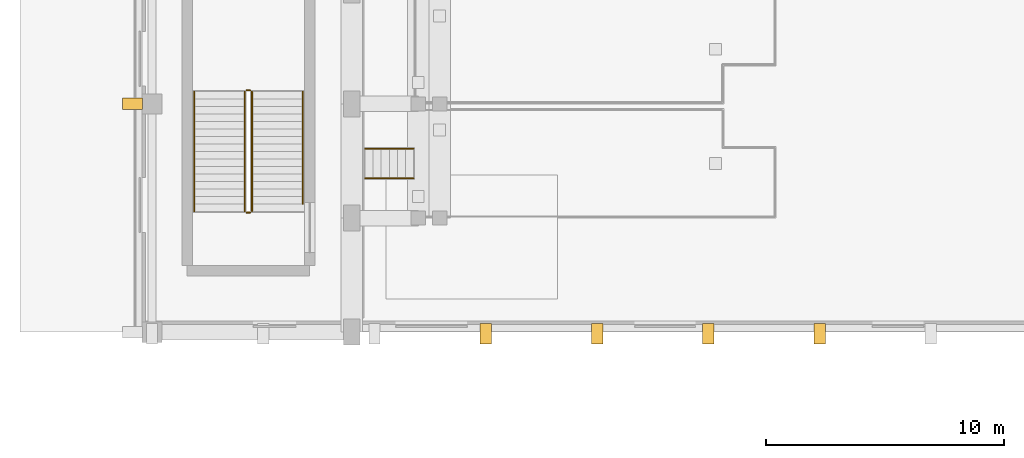
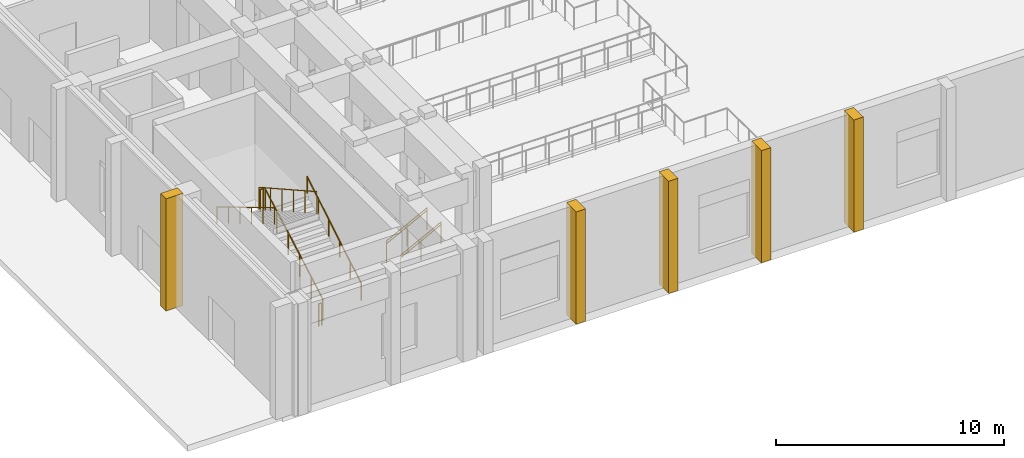
# One storey, part 60 of 87: 10 railings, 5 coverings.
"""IFC4 building model written with IfcOpenShell, lengths in metres."""

from ifc_helpers import new_model, si_unit, direction, frame, origin, origin_2d, place, context, subcontext, project, spatial, rectangle, circle, extrude, material, layer, layer_set, type_object, element, save


model = new_model("IFC4")

# Units and contexts
model_context = context("Model", 3, precision=1e-05, world=origin(), true_north=direction((0.0, 1.0)))
body_context = subcontext(model_context, "Body", "Model", "MODEL_VIEW")
ifc_project = project(units=[si_unit("LENGTHUNIT", "METRE"), si_unit("AREAUNIT", "SQUARE_METRE"), si_unit("VOLUMEUNIT", "CUBIC_METRE"), si_unit("PLANEANGLEUNIT", "RADIAN"), si_unit("MASSUNIT", "GRAM", prefix="KILO")], contexts=[model_context])

# Site, building, storey
site_placement = place(None, origin())
site = spatial("IfcSite", under=ifc_project, at=site_placement, CompositionType="ELEMENT")
building_placement = place(site_placement, origin())
building = spatial("IfcBuilding", under=site, at=building_placement, Name="Nakhvara Creek Congress Hotel", CompositionType="ELEMENT")
storey_placement = place(building_placement, origin())
storey = spatial("IfcBuildingStorey", under=building, at=storey_placement, Name="L00", CompositionType="ELEMENT", Elevation=0.0)

# Coverings
ifc_material_1 = material(Name="Honed pale Omani limestone architectural cladding", Category="masonry")
ifc_layer = layer(ifc_material_1, 0.449951171875)
ifc_layer_set = layer_set([ifc_layer], Name="Honed pale Omani limestone architectural cladding")
covering_type = type_object("IfcCoveringType", Name="COV-BUTT-850", PredefinedType="CLADDING", material=ifc_layer_set)
for number, where, z_axis, x_axis, name in (
    (1, (-0.06494140625, 43.199951171875, 0.0), (0.0, 0.0, 1.0), (0.0, 1.0, 0.0), "Gothic Limestone Buttress Pier CF03-0399"),
    (2, (14.7900390625, 33.534912109375, 0.0), (0.0, 0.0, 1.0), (1.0, 0.0, 0.0), "Gothic Limestone Buttress Pier CF03-0409"),
    (3, (19.469970703125, 33.534912109375, 0.0), (0.0, 0.0, 1.0), (1.0, 0.0, 0.0), "Gothic Limestone Buttress Pier CF03-0410"),
    (4, (24.14990234375, 33.534912109375, 0.0), (0.0, 0.0, 1.0), (1.0, 0.0, 0.0), "Gothic Limestone Buttress Pier CF03-0411"),
    (5, (28.830078125, 33.534912109375, 0.0), (0.0, 0.0, 1.0), (1.0, 0.0, 0.0), "Gothic Limestone Buttress Pier CF03-0412"),
):
    element("IfcCovering", number, at=place(storey_placement, frame(where, z_axis=z_axis, x_axis=x_axis)), inside=storey, type_object=covering_type, Name=name, PredefinedType="CLADDING", context=body_context, shape_type="SweptSolid", body=[
        extrude(rectangle(XDim=0.47998046875, YDim=0.85009765625, at=origin_2d()), origin(), (0.0, 0.0, 1.0), 6.0),
    ])

# Railings
ifc_material_2 = material(Name="Brushed stainless steel 316L", Category="steel")
railing_type_1 = type_object("IfcRailingType", Name="RL-GUARD-1200", PredefinedType="GUARDRAIL", material=ifc_material_2)
railing_1_placement = place(storey_placement, frame((4.955078125, 38.679931640625, 0.176513671875)))
element("IfcRailing", 6, at=railing_1_placement, inside=storey, type_object=railing_type_1, Name="L00 ST05 stair guard 1", PredefinedType="GUARDRAIL", context=body_context, shape_type="SweptSolid", body=[
    extrude(circle(Radius=0.02392578125, at=origin_2d()), frame((0.0, 0.012939453125, 1.18310546875), z_axis=(0.0, 0.872427454555, 0.488743630688), x_axis=(-1.0, 0.0, 0.0)), (0.0, 0.0, 1.0), 5.74755859375),
    extrude(circle(Radius=0.02099609375, at=origin_2d()), origin(), (0.0, 0.0, 1.0), 1.1806640625),
    extrude(circle(Radius=0.02099609375, at=origin_2d()), frame((0.0, 1.008056640625, 0.564697265625)), (0.0, 0.0, 1.0), 1.1806640625),
    extrude(circle(Radius=0.02099609375, at=origin_2d()), frame((0.0, 2.01611328125, 1.12939453125)), (0.0, 0.0, 1.0), 1.1806640625),
    extrude(circle(Radius=0.02099609375, at=origin_2d()), frame((0.0, 3.02392578125, 1.694091796875)), (0.0, 0.0, 1.0), 1.1806640625),
    extrude(circle(Radius=0.02099609375, at=origin_2d()), frame((0.0, 4.031982421875, 2.2587890625)), (0.0, 0.0, 1.0), 1.1806640625),
    extrude(circle(Radius=0.02099609375, at=origin_2d()), frame((0.0, 5.0400390625, 2.823486328125)), (0.0, 0.0, 1.0), 1.1806640625),
])
railing_2_placement = place(storey_placement, frame((4.8798828125, 43.77001953125, 3.0)))
element("IfcRailing", 7, at=railing_2_placement, inside=storey, type_object=railing_type_1, Name="L00 ST05 stair guard 2", PredefinedType="GUARDRAIL", context=body_context, shape_type="SweptSolid", body=[
    extrude(circle(Radius=0.02392578125, at=origin_2d()), frame((-0.0146484375, 0.0, 1.17578125), z_axis=(-1.0, 0.0, 0.0), x_axis=(0.0, -1.0, 0.0)), (0.0, 0.0, 1.0), 0.12060546875),
    extrude(circle(Radius=0.02099609375, at=origin_2d()), origin(), (0.0, 0.0, 1.0), 1.1806640625),
    extrude(circle(Radius=0.02099609375, at=origin_2d()), frame((-0.14990234375, 0.0, 0.0)), (0.0, 0.0, 1.0), 1.1806640625),
])
railing_3_placement = place(storey_placement, frame((4.655029296875, 43.719970703125, 3.176513671875)))
element("IfcRailing", 8, at=railing_3_placement, inside=storey, type_object=railing_type_1, Name="L00 ST05 stair guard 3", PredefinedType="GUARDRAIL", context=body_context, shape_type="SweptSolid", body=[
    extrude(circle(Radius=0.02392578125, at=origin_2d()), frame((0.0, -0.012939453125, 1.18310546875), z_axis=(0.0, -0.872427454555, 0.488743630688), x_axis=(1.0, 0.0, 0.0)), (0.0, 0.0, 1.0), 5.74755859375),
    extrude(circle(Radius=0.02099609375, at=origin_2d()), origin(), (0.0, 0.0, 1.0), 1.1806640625),
    extrude(circle(Radius=0.02099609375, at=origin_2d()), frame((0.0, -1.008056640625, 0.564697265625)), (0.0, 0.0, 1.0), 1.1806640625),
    extrude(circle(Radius=0.02099609375, at=origin_2d()), frame((0.0, -2.01611328125, 1.12939453125)), (0.0, 0.0, 1.0), 1.1806640625),
    extrude(circle(Radius=0.02099609375, at=origin_2d()), frame((0.0, -3.02392578125, 1.694091796875)), (0.0, 0.0, 1.0), 1.1806640625),
    extrude(circle(Radius=0.02099609375, at=origin_2d()), frame((0.0, -4.031982421875, 2.2587890625)), (0.0, 0.0, 1.0), 1.1806640625),
    extrude(circle(Radius=0.02099609375, at=origin_2d()), frame((0.0, -5.0400390625, 2.823486328125)), (0.0, 0.0, 1.0), 1.1806640625),
])
railing_4_placement = place(storey_placement, frame((4.8798828125, 38.6298828125, 0.0)))
element("IfcRailing", 9, at=railing_4_placement, inside=storey, type_object=railing_type_1, Name="L00 ST05 stair guard 4", PredefinedType="GUARDRAIL", context=body_context, shape_type="SweptSolid", body=[
    extrude(circle(Radius=0.02392578125, at=origin_2d()), frame((-0.0146484375, 0.0, 1.17578125), z_axis=(-1.0, 0.0, 0.0), x_axis=(0.0, -1.0, 0.0)), (0.0, 0.0, 1.0), 0.12060546875),
    extrude(circle(Radius=0.02099609375, at=origin_2d()), origin(), (0.0, 0.0, 1.0), 1.1806640625),
    extrude(circle(Radius=0.02099609375, at=origin_2d()), frame((-0.14990234375, 0.0, 0.0)), (0.0, 0.0, 1.0), 1.1806640625),
])
for number, where, name in (
    (10, (9.7099609375, 40.080078125, 0.0), "Vomitory Guard SV01-S"),
    (11, (9.7099609375, 41.320068359375, 0.0), "Vomitory Guard SV01-N"),
):
    element("IfcRailing", number, at=place(storey_placement, frame(where)), inside=storey, type_object=railing_type_1, Name=name, PredefinedType="GUARDRAIL", context=body_context, shape_type="SweptSolid", body=[
        extrude(circle(Radius=0.02392578125, at=origin_2d()), frame((0.01318359375, 0.0, 1.1826171875), z_axis=(0.889130716513, 0.0, 0.457653328354), x_axis=(0.0, 1.0, 0.0)), (0.0, 0.0, 1.0), 2.26513671875),
        extrude(circle(Radius=0.02099609375, at=origin_2d()), origin(), (0.0, 0.0, 1.0), 1.1806640625),
        extrude(circle(Radius=0.02099609375, at=origin_2d()), frame((1.02001953125, 0.0, 0.52490234375)), (0.0, 0.0, 1.0), 1.1806640625),
        extrude(circle(Radius=0.02099609375, at=origin_2d()), frame((2.0400390625, 0.0, 1.050048828125)), (0.0, 0.0, 1.0), 1.1806640625),
    ])
railing_type_2 = type_object("IfcRailingType", Name="RL-HAND-900", PredefinedType="HANDRAIL", material=ifc_material_2)
railing_5_placement = place(storey_placement, frame((7.0849609375, 38.9951171875, 0.35302734375)))
element("IfcRailing", 12, at=railing_5_placement, inside=storey, type_object=railing_type_2, Name="L00 ST05 stair handrail 1", PredefinedType="HANDRAIL", context=body_context, shape_type="SweptSolid", body=[
    extrude(circle(Radius=0.02392578125, at=origin_2d()), frame((0.0, 0.0126953125, 0.88330078125), z_axis=(0.0, 0.857528110924, 0.514437108863), x_axis=(-1.0, 0.0, 0.0)), (0.0, 0.0, 1.0), 5.48046875),
    extrude(circle(Radius=0.02099609375, at=origin_2d()), origin(), (0.0, 0.0, 1.0), 0.880615234375),
    extrude(circle(Radius=0.02099609375, at=origin_2d()), frame((0.0, 0.945068359375, 0.56689453125)), (0.0, 0.0, 1.0), 0.880615234375),
    extrude(circle(Radius=0.02099609375, at=origin_2d()), frame((0.0, 1.889892578125, 1.1337890625)), (0.0, 0.0, 1.0), 0.880615234375),
    extrude(circle(Radius=0.02099609375, at=origin_2d()), frame((0.0, 2.8349609375, 1.70068359375)), (0.0, 0.0, 1.0), 0.880615234375),
    extrude(circle(Radius=0.02099609375, at=origin_2d()), frame((0.0, 3.77978515625, 2.267578125)), (0.0, 0.0, 1.0), 0.880615234375),
    extrude(circle(Radius=0.02099609375, at=origin_2d()), frame((0.0, 4.724853515625, 2.83447265625)), (0.0, 0.0, 1.0), 0.880615234375),
])
railing_6_placement = place(storey_placement, frame((2.52490234375, 43.719970703125, 3.176513671875)))
element("IfcRailing", 13, at=railing_6_placement, inside=storey, type_object=railing_type_2, Name="L00 ST05 stair handrail 2", PredefinedType="HANDRAIL", context=body_context, shape_type="SweptSolid", body=[
    extrude(circle(Radius=0.02392578125, at=origin_2d()), frame((0.0, -0.0126953125, 0.88330078125), z_axis=(0.0, -0.858471053773, 0.512862018319), x_axis=(1.0, 0.0, 0.0)), (0.0, 0.0, 1.0), 5.841552734375),
    extrude(circle(Radius=0.02099609375, at=origin_2d()), origin(), (0.0, 0.0, 1.0), 0.880615234375),
    extrude(circle(Radius=0.02099609375, at=origin_2d()), frame((0.0, -1.008056640625, 0.602294921875)), (0.0, 0.0, 1.0), 0.880615234375),
    extrude(circle(Radius=0.02099609375, at=origin_2d()), frame((0.0, -2.01611328125, 1.204345703125)), (0.0, 0.0, 1.0), 0.880615234375),
    extrude(circle(Radius=0.02099609375, at=origin_2d()), frame((0.0, -3.02392578125, 1.806640625)), (0.0, 0.0, 1.0), 0.880615234375),
    extrude(circle(Radius=0.02099609375, at=origin_2d()), frame((0.0, -4.031982421875, 2.40869140625)), (0.0, 0.0, 1.0), 0.880615234375),
    extrude(circle(Radius=0.02099609375, at=origin_2d()), frame((0.0, -5.0400390625, 3.010986328125)), (0.0, 0.0, 1.0), 0.880615234375),
])
for number, where, name in (
    (14, (9.7099609375, 40.080078125, 0.14990234375), "Vomitory Handrail SV01-S"),
    (15, (9.7099609375, 41.320068359375, 0.14990234375), "Vomitory Handrail SV01-N"),
):
    element("IfcRailing", number, at=place(storey_placement, frame(where)), inside=storey, type_object=railing_type_2, Name=name, PredefinedType="HANDRAIL", context=body_context, shape_type="SweptSolid", body=[
        extrude(circle(Radius=0.02392578125, at=origin_2d()), frame((0.012939453125, 0.0, 0.882568359375), z_axis=(0.887178554642, 0.0, 0.461426280334), x_axis=(0.0, 1.0, 0.0)), (0.0, 0.0, 1.0), 2.27001953125),
        extrude(circle(Radius=0.02099609375, at=origin_2d()), origin(), (0.0, 0.0, 1.0), 0.880615234375),
        extrude(circle(Radius=0.02099609375, at=origin_2d()), frame((1.02001953125, 0.0, 0.530517578125)), (0.0, 0.0, 1.0), 0.880615234375),
        extrude(circle(Radius=0.02099609375, at=origin_2d()), frame((2.0400390625, 0.0, 1.06103515625)), (0.0, 0.0, 1.0), 0.880615234375),
    ])

save(model, "model.ifc")
